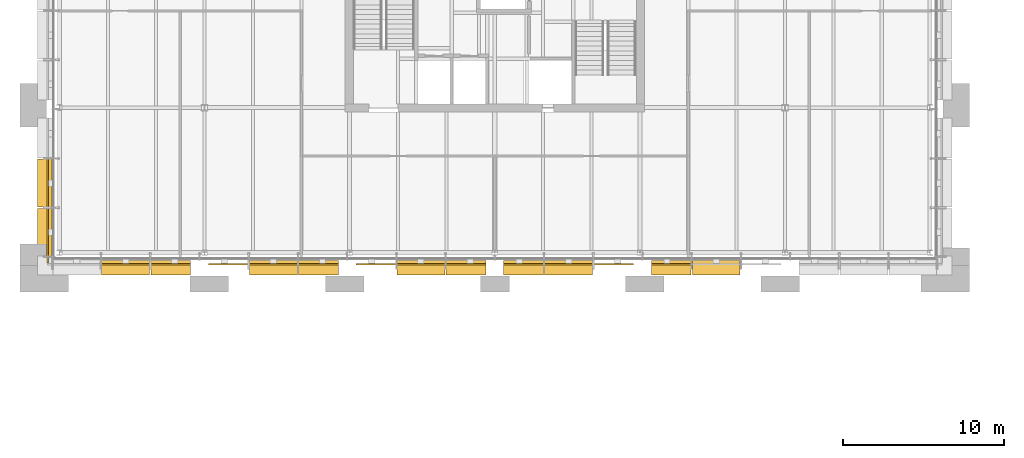
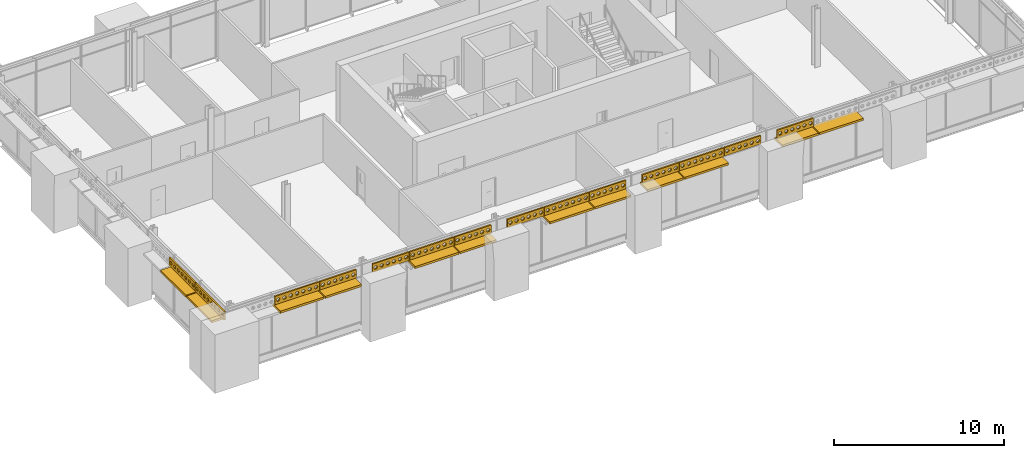
# One storey, part 31 of 37: 26 shading devices.
"""IFC4 building model written with IfcOpenShell, lengths in metres."""

from ifc_helpers import new_model, si_unit, direction, frame, origin, origin_2d, place, context, subcontext, project, spatial, polyline, rectangle, outline, extrude, material, layer, layer_set, type_object, element, save


model = new_model("IFC4")

# Units and contexts
model_context = context("Model", 3, precision=1e-05, world=origin(), true_north=direction((0.0, 1.0)))
body_context = subcontext(model_context, "Body", "Model", "MODEL_VIEW")
ifc_project = project(units=[si_unit("LENGTHUNIT", "METRE"), si_unit("AREAUNIT", "SQUARE_METRE"), si_unit("VOLUMEUNIT", "CUBIC_METRE"), si_unit("PLANEANGLEUNIT", "RADIAN"), si_unit("MASSUNIT", "GRAM", prefix="KILO")], contexts=[model_context])

# Site, building, storey
site_placement = place(None, origin())
site = spatial("IfcSite", under=ifc_project, at=site_placement, CompositionType="ELEMENT")
building_placement = place(site_placement, origin())
building = spatial("IfcBuilding", under=site, at=building_placement, Name="Baradari Gate Terminus", CompositionType="ELEMENT")
storey_placement = place(building_placement, frame((0.0, 0.0, 24.300048828125)))
storey = spatial("IfcBuildingStorey", under=building, at=storey_placement, Name="L05", CompositionType="ELEMENT", Elevation=24.300048828125)

# Shading devices
ifc_material_1 = material(Name="Concrete C40/50 precast", Category="concrete")
ifc_layer_1 = layer(ifc_material_1, 0.14990234375)
ifc_layer_set_1 = layer_set([ifc_layer_1], Name="Concrete C40/50 precast")
shading_device_type_1 = type_object("IfcShadingDeviceType", Name="Chhajja band CJ-1 900x150", PredefinedType="AWNING", material=ifc_layer_set_1)
shading_device_1_placement = place(storey_placement, frame((13.1083984375, 116.080078125, 3.33251953125), z_axis=(0.0, 0.0, 1.0), x_axis=(1.0, 0.0, 0.0)))
element("IfcShadingDevice", 1, at=shading_device_1_placement, inside=storey, type_object=shading_device_type_1, Name="Chhajja band CJ-1 L05/TS bay 2", PredefinedType="AWNING", context=body_context, shape_type="SweptSolid", body=[
    extrude(rectangle(XDim=2.97216796875, YDim=0.89990234375, at=origin_2d()), origin(), (0.0, 0.0, 1.0), 0.14990234375),
])
shading_device_2_placement = place(storey_placement, frame((15.905517578125, 116.080078125, 3.33251953125), z_axis=(0.0, 0.0, 1.0), x_axis=(1.0, 0.0, 0.0)))
element("IfcShadingDevice", 2, at=shading_device_2_placement, inside=storey, type_object=shading_device_type_1, Name="Chhajja band CJ-1 L05/TS bay 3", PredefinedType="AWNING", context=body_context, shape_type="SweptSolid", body=[
    extrude(rectangle(XDim=2.462158203125, YDim=0.89990234375, at=origin_2d()), origin(), (0.0, 0.0, 1.0), 0.14990234375),
])
shading_device_3_placement = place(storey_placement, frame((22.264892578125, 116.080078125, 3.33251953125), z_axis=(0.0, 0.0, 1.0), x_axis=(1.0, 0.0, 0.0)))
element("IfcShadingDevice", 3, at=shading_device_3_placement, inside=storey, type_object=shading_device_type_1, Name="Chhajja band CJ-1 L05/TS bay 5", PredefinedType="AWNING", context=body_context, shape_type="SweptSolid", body=[
    extrude(rectangle(XDim=2.97216796875, YDim=0.89990234375, at=origin_2d()), origin(), (0.0, 0.0, 1.0), 0.14990234375),
])
shading_device_4_placement = place(storey_placement, frame((25.062255859375, 116.080078125, 3.33251953125), z_axis=(0.0, 0.0, 1.0), x_axis=(1.0, 0.0, 0.0)))
element("IfcShadingDevice", 4, at=shading_device_4_placement, inside=storey, type_object=shading_device_type_1, Name="Chhajja band CJ-1 L05/TS bay 6", PredefinedType="AWNING", context=body_context, shape_type="SweptSolid", body=[
    extrude(rectangle(XDim=2.462158203125, YDim=0.89990234375, at=origin_2d()), origin(), (0.0, 0.0, 1.0), 0.14990234375),
])
shading_device_5_placement = place(storey_placement, frame((31.421630859375, 116.080078125, 3.33251953125), z_axis=(0.0, 0.0, 1.0), x_axis=(1.0, 0.0, 0.0)))
element("IfcShadingDevice", 5, at=shading_device_5_placement, inside=storey, type_object=shading_device_type_1, Name="Chhajja band CJ-1 L05/TS bay 8", PredefinedType="AWNING", context=body_context, shape_type="SweptSolid", body=[
    extrude(rectangle(XDim=2.97216796875, YDim=0.89990234375, at=origin_2d()), origin(), (0.0, 0.0, 1.0), 0.14990234375),
])
for number, where, z_axis, x_axis, name in (
    (6, (34.218994140625, 116.080078125, 3.33251953125), (0.0, 0.0, 1.0), (1.0, 0.0, 0.0), "Chhajja band CJ-1 L05/TS bay 9"),
    (7, (37.781005859375, 116.080078125, 3.33251953125), (0.0, 0.0, 1.0), (1.0, 0.0, 0.0), "Chhajja band CJ-1 L05/TS bay 10"),
):
    element("IfcShadingDevice", number, at=place(storey_placement, frame(where, z_axis=z_axis, x_axis=x_axis)), inside=storey, type_object=shading_device_type_1, Name=name, PredefinedType="AWNING", context=body_context, shape_type="SweptSolid", body=[
        extrude(rectangle(XDim=2.462158203125, YDim=0.89990234375, at=origin_2d()), origin(), (0.0, 0.0, 1.0), 0.14990234375),
    ])
shading_device_6_placement = place(storey_placement, frame((40.578369140625, 116.080078125, 3.33251953125), z_axis=(0.0, 0.0, 1.0), x_axis=(1.0, 0.0, 0.0)))
element("IfcShadingDevice", 8, at=shading_device_6_placement, inside=storey, type_object=shading_device_type_1, Name="Chhajja band CJ-1 L05/TS bay 11", PredefinedType="AWNING", context=body_context, shape_type="SweptSolid", body=[
    extrude(rectangle(XDim=2.97216796875, YDim=0.89990234375, at=origin_2d()), origin(), (0.0, 0.0, 1.0), 0.14990234375),
])
shading_device_7_placement = place(storey_placement, frame((46.937744140625, 116.080078125, 3.33251953125), z_axis=(0.0, 0.0, 1.0), x_axis=(1.0, 0.0, 0.0)))
element("IfcShadingDevice", 9, at=shading_device_7_placement, inside=storey, type_object=shading_device_type_1, Name="Chhajja band CJ-1 L05/TS bay 13", PredefinedType="AWNING", context=body_context, shape_type="SweptSolid", body=[
    extrude(rectangle(XDim=2.462158203125, YDim=0.89990234375, at=origin_2d()), origin(), (0.0, 0.0, 1.0), 0.14990234375),
])
shading_device_8_placement = place(storey_placement, frame((49.735107421875, 116.080078125, 3.33251953125), z_axis=(0.0, 0.0, 1.0), x_axis=(1.0, 0.0, 0.0)))
element("IfcShadingDevice", 10, at=shading_device_8_placement, inside=storey, type_object=shading_device_type_1, Name="Chhajja band CJ-1 L05/TS bay 14", PredefinedType="AWNING", context=body_context, shape_type="SweptSolid", body=[
    extrude(rectangle(XDim=2.97216796875, YDim=0.89990234375, at=origin_2d()), origin(), (0.0, 0.0, 1.0), 0.14990234375),
])
shading_device_9_placement = place(storey_placement, frame((8.080078125, 118.2763671875, 3.33251953125), z_axis=(0.0, 0.0, 1.0), x_axis=(0.0, 1.0, 0.0)))
element("IfcShadingDevice", 11, at=shading_device_9_placement, inside=storey, type_object=shading_device_type_1, Name="Chhajja band CJ-1 L05/TW bay 1", PredefinedType="AWNING", context=body_context, shape_type="SweptSolid", body=[
    extrude(rectangle(XDim=2.947509765625, YDim=0.89990234375, at=origin_2d()), origin(), (0.0, 0.0, 1.0), 0.14990234375),
])
shading_device_10_placement = place(storey_placement, frame((8.080078125, 121.320068359375, 3.33251953125), z_axis=(0.0, 0.0, 1.0), x_axis=(0.0, 1.0, 0.0)))
element("IfcShadingDevice", 12, at=shading_device_10_placement, inside=storey, type_object=shading_device_type_1, Name="Chhajja band CJ-1 L05/TW bay 2", PredefinedType="AWNING", context=body_context, shape_type="SweptSolid", body=[
    extrude(rectangle(XDim=2.97998046875, YDim=0.89990234375, at=origin_2d()), origin(), (0.0, 0.0, 1.0), 0.14990234375),
])
ifc_material_2 = material(Name="Concrete C50/60 precast", Category="concrete")
ifc_layer_2 = layer(ifc_material_2, 0.10009765625)
ifc_layer_set_2 = layer_set([ifc_layer_2], Name="Concrete C50/60 precast")
shading_device_type_2 = type_object("IfcShadingDeviceType", Name="Jali screen panel JS-1 100", PredefinedType="SHUTTER", material=ifc_layer_set_2)
shading_device_11_placement = place(storey_placement, frame((11.602294921875, 116.280029296875, 3.583740234375), z_axis=(0.0, 0.0, 1.0), x_axis=(1.0, 0.0, 0.0)))
element("IfcShadingDevice", 13, at=shading_device_11_placement, inside=storey, type_object=shading_device_type_2, Name="Jali screen panel JS-1 L05/TS bay 2", PredefinedType="SHUTTER", context=body_context, shape_type="SweptSolid", body=[
    extrude(outline(polyline([(0.0, 0.0), (3.01220703125, 0.0), (3.01220703125, 0.599853515625), (0.0, 0.599853515625), (0.0, 0.0)]), holes=[polyline([(0.34521484375, 0.300048828125), (0.2802734375, 0.187255859375), (0.150146484375, 0.187255859375), (0.085205078125, 0.300048828125), (0.150146484375, 0.41259765625), (0.2802734375, 0.41259765625), (0.34521484375, 0.300048828125)]), polyline([(0.775390625, 0.300048828125), (0.71044921875, 0.187255859375), (0.58056640625, 0.187255859375), (0.515380859375, 0.300048828125), (0.58056640625, 0.41259765625), (0.71044921875, 0.41259765625), (0.775390625, 0.300048828125)]), polyline([(1.205810546875, 0.300048828125), (1.140869140625, 0.187255859375), (1.0107421875, 0.187255859375), (0.94580078125, 0.300048828125), (1.0107421875, 0.41259765625), (1.140869140625, 0.41259765625), (1.205810546875, 0.300048828125)]), polyline([(1.63623046875, 0.300048828125), (1.571044921875, 0.187255859375), (1.441162109375, 0.187255859375), (1.376220703125, 0.300048828125), (1.441162109375, 0.41259765625), (1.571044921875, 0.41259765625), (1.63623046875, 0.300048828125)]), polyline([(2.06640625, 0.300048828125), (2.00146484375, 0.187255859375), (1.871337890625, 0.187255859375), (1.806396484375, 0.300048828125), (1.871337890625, 0.41259765625), (2.00146484375, 0.41259765625), (2.06640625, 0.300048828125)]), polyline([(2.496826171875, 0.300048828125), (2.431640625, 0.187255859375), (2.3017578125, 0.187255859375), (2.23681640625, 0.300048828125), (2.3017578125, 0.41259765625), (2.431640625, 0.41259765625), (2.496826171875, 0.300048828125)]), polyline([(2.927001953125, 0.300048828125), (2.862060546875, 0.187255859375), (2.732177734375, 0.187255859375), (2.6669921875, 0.300048828125), (2.732177734375, 0.41259765625), (2.862060546875, 0.41259765625), (2.927001953125, 0.300048828125)])]), frame((0.0, 0.050048828125, 0.0), z_axis=(0.0, -1.0, 0.0), x_axis=(1.0, 0.0, 0.0)), (0.0, 0.0, 1.0), 0.10009765625),
])
shading_device_12_placement = place(storey_placement, frame((14.654541015625, 116.280029296875, 3.583740234375), z_axis=(0.0, 0.0, 1.0), x_axis=(1.0, 0.0, 0.0)))
element("IfcShadingDevice", 14, at=shading_device_12_placement, inside=storey, type_object=shading_device_type_2, Name="Jali screen panel JS-1 L05/TS bay 3", PredefinedType="SHUTTER", context=body_context, shape_type="SweptSolid", body=[
    extrude(outline(polyline([(0.0, 0.0), (2.482177734375, 0.0), (2.482177734375, 0.599853515625), (0.0, 0.599853515625), (0.0, 0.0)]), holes=[polyline([(0.3369140625, 0.300048828125), (0.27197265625, 0.187255859375), (0.141845703125, 0.187255859375), (0.076904296875, 0.300048828125), (0.141845703125, 0.41259765625), (0.27197265625, 0.41259765625), (0.3369140625, 0.300048828125)]), polyline([(0.75048828125, 0.300048828125), (0.685546875, 0.187255859375), (0.5556640625, 0.187255859375), (0.490478515625, 0.300048828125), (0.5556640625, 0.41259765625), (0.685546875, 0.41259765625), (0.75048828125, 0.300048828125)]), polyline([(1.164306640625, 0.300048828125), (1.099365234375, 0.187255859375), (0.96923828125, 0.187255859375), (0.904296875, 0.300048828125), (0.96923828125, 0.41259765625), (1.099365234375, 0.41259765625), (1.164306640625, 0.300048828125)]), polyline([(1.577880859375, 0.300048828125), (1.512939453125, 0.187255859375), (1.383056640625, 0.187255859375), (1.31787109375, 0.300048828125), (1.383056640625, 0.41259765625), (1.512939453125, 0.41259765625), (1.577880859375, 0.300048828125)]), polyline([(1.99169921875, 0.300048828125), (1.9267578125, 0.187255859375), (1.796630859375, 0.187255859375), (1.731689453125, 0.300048828125), (1.796630859375, 0.41259765625), (1.9267578125, 0.41259765625), (1.99169921875, 0.300048828125)]), polyline([(2.4052734375, 0.300048828125), (2.34033203125, 0.187255859375), (2.21044921875, 0.187255859375), (2.145263671875, 0.300048828125), (2.21044921875, 0.41259765625), (2.34033203125, 0.41259765625), (2.4052734375, 0.300048828125)])]), frame((0.0, 0.050048828125, 0.0), z_axis=(0.0, -1.0, 0.0), x_axis=(1.0, 0.0, 0.0)), (0.0, 0.0, 1.0), 0.10009765625),
])
shading_device_13_placement = place(storey_placement, frame((18.236572265625, 116.280029296875, 3.583740234375), z_axis=(0.0, 0.0, 1.0), x_axis=(1.0, 0.0, 0.0)))
element("IfcShadingDevice", 15, at=shading_device_13_placement, inside=storey, type_object=shading_device_type_2, Name="Jali screen panel JS-1 L05/TS bay 4", PredefinedType="SHUTTER", context=body_context, shape_type="SweptSolid", body=[
    extrude(outline(polyline([(0.0, 0.0), (2.482421875, 0.0), (2.482421875, 0.599853515625), (0.0, 0.599853515625), (0.0, 0.0)]), holes=[polyline([(0.3369140625, 0.300048828125), (0.27197265625, 0.187255859375), (0.141845703125, 0.187255859375), (0.076904296875, 0.300048828125), (0.141845703125, 0.41259765625), (0.27197265625, 0.41259765625), (0.3369140625, 0.300048828125)]), polyline([(0.75048828125, 0.300048828125), (0.685546875, 0.187255859375), (0.5556640625, 0.187255859375), (0.490478515625, 0.300048828125), (0.5556640625, 0.41259765625), (0.685546875, 0.41259765625), (0.75048828125, 0.300048828125)]), polyline([(1.164306640625, 0.300048828125), (1.099365234375, 0.187255859375), (0.96923828125, 0.187255859375), (0.904296875, 0.300048828125), (0.96923828125, 0.41259765625), (1.099365234375, 0.41259765625), (1.164306640625, 0.300048828125)]), polyline([(1.577880859375, 0.300048828125), (1.512939453125, 0.187255859375), (1.383056640625, 0.187255859375), (1.31787109375, 0.300048828125), (1.383056640625, 0.41259765625), (1.512939453125, 0.41259765625), (1.577880859375, 0.300048828125)]), polyline([(1.99169921875, 0.300048828125), (1.9267578125, 0.187255859375), (1.796630859375, 0.187255859375), (1.731689453125, 0.300048828125), (1.796630859375, 0.41259765625), (1.9267578125, 0.41259765625), (1.99169921875, 0.300048828125)]), polyline([(2.4052734375, 0.300048828125), (2.34033203125, 0.187255859375), (2.21044921875, 0.187255859375), (2.145263671875, 0.300048828125), (2.21044921875, 0.41259765625), (2.34033203125, 0.41259765625), (2.4052734375, 0.300048828125)])]), frame((0.0, 0.050048828125, 0.0), z_axis=(0.0, -1.0, 0.0), x_axis=(1.0, 0.0, 0.0)), (0.0, 0.0, 1.0), 0.10009765625),
])
shading_device_14_placement = place(storey_placement, frame((20.7587890625, 116.280029296875, 3.583740234375), z_axis=(0.0, 0.0, 1.0), x_axis=(1.0, 0.0, 0.0)))
element("IfcShadingDevice", 16, at=shading_device_14_placement, inside=storey, type_object=shading_device_type_2, Name="Jali screen panel JS-1 L05/TS bay 5", PredefinedType="SHUTTER", context=body_context, shape_type="SweptSolid", body=[
    extrude(outline(polyline([(0.0, 0.0), (3.01220703125, 0.0), (3.01220703125, 0.599853515625), (0.0, 0.599853515625), (0.0, 0.0)]), holes=[polyline([(0.34521484375, 0.300048828125), (0.2802734375, 0.187255859375), (0.150146484375, 0.187255859375), (0.085205078125, 0.300048828125), (0.150146484375, 0.41259765625), (0.2802734375, 0.41259765625), (0.34521484375, 0.300048828125)]), polyline([(0.775390625, 0.300048828125), (0.71044921875, 0.187255859375), (0.58056640625, 0.187255859375), (0.515380859375, 0.300048828125), (0.58056640625, 0.41259765625), (0.71044921875, 0.41259765625), (0.775390625, 0.300048828125)]), polyline([(1.205810546875, 0.300048828125), (1.140869140625, 0.187255859375), (1.0107421875, 0.187255859375), (0.94580078125, 0.300048828125), (1.0107421875, 0.41259765625), (1.140869140625, 0.41259765625), (1.205810546875, 0.300048828125)]), polyline([(1.63623046875, 0.300048828125), (1.571044921875, 0.187255859375), (1.441162109375, 0.187255859375), (1.376220703125, 0.300048828125), (1.441162109375, 0.41259765625), (1.571044921875, 0.41259765625), (1.63623046875, 0.300048828125)]), polyline([(2.06640625, 0.300048828125), (2.00146484375, 0.187255859375), (1.871337890625, 0.187255859375), (1.806396484375, 0.300048828125), (1.871337890625, 0.41259765625), (2.00146484375, 0.41259765625), (2.06640625, 0.300048828125)]), polyline([(2.496826171875, 0.300048828125), (2.431640625, 0.187255859375), (2.3017578125, 0.187255859375), (2.23681640625, 0.300048828125), (2.3017578125, 0.41259765625), (2.431640625, 0.41259765625), (2.496826171875, 0.300048828125)]), polyline([(2.927001953125, 0.300048828125), (2.862060546875, 0.187255859375), (2.732177734375, 0.187255859375), (2.6669921875, 0.300048828125), (2.732177734375, 0.41259765625), (2.862060546875, 0.41259765625), (2.927001953125, 0.300048828125)])]), frame((0.0, 0.050048828125, 0.0), z_axis=(0.0, -1.0, 0.0), x_axis=(1.0, 0.0, 0.0)), (0.0, 0.0, 1.0), 0.10009765625),
])
for number, where, z_axis, x_axis, name in (
    (17, (23.81103515625, 116.280029296875, 3.583740234375), (0.0, 0.0, 1.0), (1.0, 0.0, 0.0), "Jali screen panel JS-1 L05/TS bay 6"),
    (18, (27.393310546875, 116.280029296875, 3.583740234375), (0.0, 0.0, 1.0), (1.0, 0.0, 0.0), "Jali screen panel JS-1 L05/TS bay 7"),
):
    element("IfcShadingDevice", number, at=place(storey_placement, frame(where, z_axis=z_axis, x_axis=x_axis)), inside=storey, type_object=shading_device_type_2, Name=name, PredefinedType="SHUTTER", context=body_context, shape_type="SweptSolid", body=[
        extrude(outline(polyline([(0.0, 0.0), (2.482177734375, 0.0), (2.482177734375, 0.599853515625), (0.0, 0.599853515625), (0.0, 0.0)]), holes=[polyline([(0.3369140625, 0.300048828125), (0.27197265625, 0.187255859375), (0.141845703125, 0.187255859375), (0.076904296875, 0.300048828125), (0.141845703125, 0.41259765625), (0.27197265625, 0.41259765625), (0.3369140625, 0.300048828125)]), polyline([(0.75048828125, 0.300048828125), (0.685546875, 0.187255859375), (0.5556640625, 0.187255859375), (0.490478515625, 0.300048828125), (0.5556640625, 0.41259765625), (0.685546875, 0.41259765625), (0.75048828125, 0.300048828125)]), polyline([(1.164306640625, 0.300048828125), (1.099365234375, 0.187255859375), (0.96923828125, 0.187255859375), (0.904296875, 0.300048828125), (0.96923828125, 0.41259765625), (1.099365234375, 0.41259765625), (1.164306640625, 0.300048828125)]), polyline([(1.577880859375, 0.300048828125), (1.512939453125, 0.187255859375), (1.383056640625, 0.187255859375), (1.31787109375, 0.300048828125), (1.383056640625, 0.41259765625), (1.512939453125, 0.41259765625), (1.577880859375, 0.300048828125)]), polyline([(1.99169921875, 0.300048828125), (1.9267578125, 0.187255859375), (1.796630859375, 0.187255859375), (1.731689453125, 0.300048828125), (1.796630859375, 0.41259765625), (1.9267578125, 0.41259765625), (1.99169921875, 0.300048828125)]), polyline([(2.4052734375, 0.300048828125), (2.34033203125, 0.187255859375), (2.21044921875, 0.187255859375), (2.145263671875, 0.300048828125), (2.21044921875, 0.41259765625), (2.34033203125, 0.41259765625), (2.4052734375, 0.300048828125)])]), frame((0.0, 0.050048828125, 0.0), z_axis=(0.0, -1.0, 0.0), x_axis=(1.0, 0.0, 0.0)), (0.0, 0.0, 1.0), 0.10009765625),
    ])
shading_device_15_placement = place(storey_placement, frame((29.91552734375, 116.280029296875, 3.583740234375), z_axis=(0.0, 0.0, 1.0), x_axis=(1.0, 0.0, 0.0)))
element("IfcShadingDevice", 19, at=shading_device_15_placement, inside=storey, type_object=shading_device_type_2, Name="Jali screen panel JS-1 L05/TS bay 8", PredefinedType="SHUTTER", context=body_context, shape_type="SweptSolid", body=[
    extrude(outline(polyline([(0.0, 0.0), (3.01220703125, 0.0), (3.01220703125, 0.599853515625), (0.0, 0.599853515625), (0.0, 0.0)]), holes=[polyline([(0.34521484375, 0.300048828125), (0.2802734375, 0.187255859375), (0.150146484375, 0.187255859375), (0.085205078125, 0.300048828125), (0.150146484375, 0.41259765625), (0.2802734375, 0.41259765625), (0.34521484375, 0.300048828125)]), polyline([(0.775390625, 0.300048828125), (0.71044921875, 0.187255859375), (0.58056640625, 0.187255859375), (0.515380859375, 0.300048828125), (0.58056640625, 0.41259765625), (0.71044921875, 0.41259765625), (0.775390625, 0.300048828125)]), polyline([(1.205810546875, 0.300048828125), (1.140869140625, 0.187255859375), (1.0107421875, 0.187255859375), (0.94580078125, 0.300048828125), (1.0107421875, 0.41259765625), (1.140869140625, 0.41259765625), (1.205810546875, 0.300048828125)]), polyline([(1.63623046875, 0.300048828125), (1.571044921875, 0.187255859375), (1.441162109375, 0.187255859375), (1.376220703125, 0.300048828125), (1.441162109375, 0.41259765625), (1.571044921875, 0.41259765625), (1.63623046875, 0.300048828125)]), polyline([(2.06640625, 0.300048828125), (2.00146484375, 0.187255859375), (1.871337890625, 0.187255859375), (1.806396484375, 0.300048828125), (1.871337890625, 0.41259765625), (2.00146484375, 0.41259765625), (2.06640625, 0.300048828125)]), polyline([(2.496826171875, 0.300048828125), (2.431640625, 0.187255859375), (2.3017578125, 0.187255859375), (2.23681640625, 0.300048828125), (2.3017578125, 0.41259765625), (2.431640625, 0.41259765625), (2.496826171875, 0.300048828125)]), polyline([(2.927001953125, 0.300048828125), (2.862060546875, 0.187255859375), (2.732177734375, 0.187255859375), (2.6669921875, 0.300048828125), (2.732177734375, 0.41259765625), (2.862060546875, 0.41259765625), (2.927001953125, 0.300048828125)])]), frame((0.0, 0.050048828125, 0.0), z_axis=(0.0, -1.0, 0.0), x_axis=(1.0, 0.0, 0.0)), (0.0, 0.0, 1.0), 0.10009765625),
])
for number, where, z_axis, x_axis, name in (
    (20, (32.9677734375, 116.280029296875, 3.583740234375), (0.0, 0.0, 1.0), (1.0, 0.0, 0.0), "Jali screen panel JS-1 L05/TS bay 9"),
    (21, (36.550048828125, 116.280029296875, 3.583740234375), (0.0, 0.0, 1.0), (1.0, 0.0, 0.0), "Jali screen panel JS-1 L05/TS bay 10"),
):
    element("IfcShadingDevice", number, at=place(storey_placement, frame(where, z_axis=z_axis, x_axis=x_axis)), inside=storey, type_object=shading_device_type_2, Name=name, PredefinedType="SHUTTER", context=body_context, shape_type="SweptSolid", body=[
        extrude(outline(polyline([(0.0, 0.0), (2.482177734375, 0.0), (2.482177734375, 0.599853515625), (0.0, 0.599853515625), (0.0, 0.0)]), holes=[polyline([(0.3369140625, 0.300048828125), (0.27197265625, 0.187255859375), (0.141845703125, 0.187255859375), (0.076904296875, 0.300048828125), (0.141845703125, 0.41259765625), (0.27197265625, 0.41259765625), (0.3369140625, 0.300048828125)]), polyline([(0.75048828125, 0.300048828125), (0.685546875, 0.187255859375), (0.5556640625, 0.187255859375), (0.490478515625, 0.300048828125), (0.5556640625, 0.41259765625), (0.685546875, 0.41259765625), (0.75048828125, 0.300048828125)]), polyline([(1.164306640625, 0.300048828125), (1.099365234375, 0.187255859375), (0.96923828125, 0.187255859375), (0.904296875, 0.300048828125), (0.96923828125, 0.41259765625), (1.099365234375, 0.41259765625), (1.164306640625, 0.300048828125)]), polyline([(1.577880859375, 0.300048828125), (1.512939453125, 0.187255859375), (1.383056640625, 0.187255859375), (1.31787109375, 0.300048828125), (1.383056640625, 0.41259765625), (1.512939453125, 0.41259765625), (1.577880859375, 0.300048828125)]), polyline([(1.99169921875, 0.300048828125), (1.9267578125, 0.187255859375), (1.796630859375, 0.187255859375), (1.731689453125, 0.300048828125), (1.796630859375, 0.41259765625), (1.9267578125, 0.41259765625), (1.99169921875, 0.300048828125)]), polyline([(2.4052734375, 0.300048828125), (2.34033203125, 0.187255859375), (2.21044921875, 0.187255859375), (2.145263671875, 0.300048828125), (2.21044921875, 0.41259765625), (2.34033203125, 0.41259765625), (2.4052734375, 0.300048828125)])]), frame((0.0, 0.050048828125, 0.0), z_axis=(0.0, -1.0, 0.0), x_axis=(1.0, 0.0, 0.0)), (0.0, 0.0, 1.0), 0.10009765625),
    ])
shading_device_16_placement = place(storey_placement, frame((39.072265625, 116.280029296875, 3.583740234375), z_axis=(0.0, 0.0, 1.0), x_axis=(1.0, 0.0, 0.0)))
element("IfcShadingDevice", 22, at=shading_device_16_placement, inside=storey, type_object=shading_device_type_2, Name="Jali screen panel JS-1 L05/TS bay 11", PredefinedType="SHUTTER", context=body_context, shape_type="SweptSolid", body=[
    extrude(outline(polyline([(0.0, 0.0), (3.01220703125, 0.0), (3.01220703125, 0.599853515625), (0.0, 0.599853515625), (0.0, 0.0)]), holes=[polyline([(0.34521484375, 0.300048828125), (0.2802734375, 0.187255859375), (0.150146484375, 0.187255859375), (0.085205078125, 0.300048828125), (0.150146484375, 0.41259765625), (0.2802734375, 0.41259765625), (0.34521484375, 0.300048828125)]), polyline([(0.775390625, 0.300048828125), (0.71044921875, 0.187255859375), (0.58056640625, 0.187255859375), (0.515380859375, 0.300048828125), (0.58056640625, 0.41259765625), (0.71044921875, 0.41259765625), (0.775390625, 0.300048828125)]), polyline([(1.205810546875, 0.300048828125), (1.140869140625, 0.187255859375), (1.0107421875, 0.187255859375), (0.94580078125, 0.300048828125), (1.0107421875, 0.41259765625), (1.140869140625, 0.41259765625), (1.205810546875, 0.300048828125)]), polyline([(1.63623046875, 0.300048828125), (1.571044921875, 0.187255859375), (1.441162109375, 0.187255859375), (1.376220703125, 0.300048828125), (1.441162109375, 0.41259765625), (1.571044921875, 0.41259765625), (1.63623046875, 0.300048828125)]), polyline([(2.06640625, 0.300048828125), (2.00146484375, 0.187255859375), (1.871337890625, 0.187255859375), (1.806396484375, 0.300048828125), (1.871337890625, 0.41259765625), (2.00146484375, 0.41259765625), (2.06640625, 0.300048828125)]), polyline([(2.496826171875, 0.300048828125), (2.431640625, 0.187255859375), (2.3017578125, 0.187255859375), (2.23681640625, 0.300048828125), (2.3017578125, 0.41259765625), (2.431640625, 0.41259765625), (2.496826171875, 0.300048828125)]), polyline([(2.927001953125, 0.300048828125), (2.862060546875, 0.187255859375), (2.732177734375, 0.187255859375), (2.6669921875, 0.300048828125), (2.732177734375, 0.41259765625), (2.862060546875, 0.41259765625), (2.927001953125, 0.300048828125)])]), frame((0.0, 0.050048828125, 0.0), z_axis=(0.0, -1.0, 0.0), x_axis=(1.0, 0.0, 0.0)), (0.0, 0.0, 1.0), 0.10009765625),
])
for number, where, z_axis, x_axis, name in (
    (23, (42.12451171875, 116.280029296875, 3.583740234375), (0.0, 0.0, 1.0), (1.0, 0.0, 0.0), "Jali screen panel JS-1 L05/TS bay 12"),
    (24, (45.706787109375, 116.280029296875, 3.583740234375), (0.0, 0.0, 1.0), (1.0, 0.0, 0.0), "Jali screen panel JS-1 L05/TS bay 13"),
):
    element("IfcShadingDevice", number, at=place(storey_placement, frame(where, z_axis=z_axis, x_axis=x_axis)), inside=storey, type_object=shading_device_type_2, Name=name, PredefinedType="SHUTTER", context=body_context, shape_type="SweptSolid", body=[
        extrude(outline(polyline([(0.0, 0.0), (2.482177734375, 0.0), (2.482177734375, 0.599853515625), (0.0, 0.599853515625), (0.0, 0.0)]), holes=[polyline([(0.3369140625, 0.300048828125), (0.27197265625, 0.187255859375), (0.141845703125, 0.187255859375), (0.076904296875, 0.300048828125), (0.141845703125, 0.41259765625), (0.27197265625, 0.41259765625), (0.3369140625, 0.300048828125)]), polyline([(0.75048828125, 0.300048828125), (0.685546875, 0.187255859375), (0.5556640625, 0.187255859375), (0.490478515625, 0.300048828125), (0.5556640625, 0.41259765625), (0.685546875, 0.41259765625), (0.75048828125, 0.300048828125)]), polyline([(1.164306640625, 0.300048828125), (1.099365234375, 0.187255859375), (0.96923828125, 0.187255859375), (0.904296875, 0.300048828125), (0.96923828125, 0.41259765625), (1.099365234375, 0.41259765625), (1.164306640625, 0.300048828125)]), polyline([(1.577880859375, 0.300048828125), (1.512939453125, 0.187255859375), (1.383056640625, 0.187255859375), (1.31787109375, 0.300048828125), (1.383056640625, 0.41259765625), (1.512939453125, 0.41259765625), (1.577880859375, 0.300048828125)]), polyline([(1.99169921875, 0.300048828125), (1.9267578125, 0.187255859375), (1.796630859375, 0.187255859375), (1.731689453125, 0.300048828125), (1.796630859375, 0.41259765625), (1.9267578125, 0.41259765625), (1.99169921875, 0.300048828125)]), polyline([(2.4052734375, 0.300048828125), (2.34033203125, 0.187255859375), (2.21044921875, 0.187255859375), (2.145263671875, 0.300048828125), (2.21044921875, 0.41259765625), (2.34033203125, 0.41259765625), (2.4052734375, 0.300048828125)])]), frame((0.0, 0.050048828125, 0.0), z_axis=(0.0, -1.0, 0.0), x_axis=(1.0, 0.0, 0.0)), (0.0, 0.0, 1.0), 0.10009765625),
    ])
shading_device_17_placement = place(storey_placement, frame((8.280029296875, 116.362548828125, 3.583740234375), z_axis=(0.0, 0.0, 1.0), x_axis=(0.0, 1.0, 0.0)))
element("IfcShadingDevice", 25, at=shading_device_17_placement, inside=storey, type_object=shading_device_type_2, Name="Jali screen panel JS-1 L05/TW bay 1", PredefinedType="SHUTTER", context=body_context, shape_type="SweptSolid", body=[
    extrude(outline(polyline([(0.0, 0.0), (3.407470703125, 0.0), (3.407470703125, 0.599853515625), (0.0, 0.599853515625), (0.0, 0.0)]), holes=[polyline([(0.343017578125, 0.300048828125), (0.278076171875, 0.187255859375), (0.14794921875, 0.187255859375), (0.0830078125, 0.300048828125), (0.14794921875, 0.41259765625), (0.278076171875, 0.41259765625), (0.343017578125, 0.300048828125)]), polyline([(0.768798828125, 0.300048828125), (0.703857421875, 0.187255859375), (0.573974609375, 0.187255859375), (0.5087890625, 0.300048828125), (0.573974609375, 0.41259765625), (0.703857421875, 0.41259765625), (0.768798828125, 0.300048828125)]), polyline([(1.19482421875, 0.300048828125), (1.1298828125, 0.187255859375), (0.999755859375, 0.187255859375), (0.934814453125, 0.300048828125), (0.999755859375, 0.41259765625), (1.1298828125, 0.41259765625), (1.19482421875, 0.300048828125)]), polyline([(1.620849609375, 0.300048828125), (1.5556640625, 0.187255859375), (1.42578125, 0.187255859375), (1.36083984375, 0.300048828125), (1.42578125, 0.41259765625), (1.5556640625, 0.41259765625), (1.620849609375, 0.300048828125)]), polyline([(2.046630859375, 0.300048828125), (1.981689453125, 0.187255859375), (1.851806640625, 0.187255859375), (1.78662109375, 0.300048828125), (1.851806640625, 0.41259765625), (1.981689453125, 0.41259765625), (2.046630859375, 0.300048828125)]), polyline([(2.47265625, 0.300048828125), (2.40771484375, 0.187255859375), (2.277587890625, 0.187255859375), (2.212646484375, 0.300048828125), (2.277587890625, 0.41259765625), (2.40771484375, 0.41259765625), (2.47265625, 0.300048828125)]), polyline([(2.898681640625, 0.300048828125), (2.83349609375, 0.187255859375), (2.70361328125, 0.187255859375), (2.638671875, 0.300048828125), (2.70361328125, 0.41259765625), (2.83349609375, 0.41259765625), (2.898681640625, 0.300048828125)]), polyline([(3.324462890625, 0.300048828125), (3.259521484375, 0.187255859375), (3.129638671875, 0.187255859375), (3.064453125, 0.300048828125), (3.129638671875, 0.41259765625), (3.259521484375, 0.41259765625), (3.324462890625, 0.300048828125)])]), frame((0.0, 0.050048828125, 0.0), z_axis=(0.0, -1.0, 0.0), x_axis=(1.0, 0.0, 0.0)), (0.0, 0.0, 1.0), 0.10009765625),
])
shading_device_18_placement = place(storey_placement, frame((8.280029296875, 119.81005859375, 3.583740234375), z_axis=(0.0, 0.0, 1.0), x_axis=(0.0, 1.0, 0.0)))
element("IfcShadingDevice", 26, at=shading_device_18_placement, inside=storey, type_object=shading_device_type_2, Name="Jali screen panel JS-1 L05/TW bay 2", PredefinedType="SHUTTER", context=body_context, shape_type="SweptSolid", body=[
    extrude(outline(polyline([(0.0, 0.0), (3.02001953125, 0.0), (3.02001953125, 0.599853515625), (0.0, 0.599853515625), (0.0, 0.0)]), holes=[polyline([(0.345703125, 0.300048828125), (0.28076171875, 0.187255859375), (0.150634765625, 0.187255859375), (0.085693359375, 0.300048828125), (0.150634765625, 0.41259765625), (0.28076171875, 0.41259765625), (0.345703125, 0.300048828125)]), polyline([(0.777099609375, 0.300048828125), (0.712158203125, 0.187255859375), (0.58203125, 0.187255859375), (0.51708984375, 0.300048828125), (0.58203125, 0.41259765625), (0.712158203125, 0.41259765625), (0.777099609375, 0.300048828125)]), polyline([(1.20849609375, 0.300048828125), (1.1435546875, 0.187255859375), (1.013671875, 0.187255859375), (0.948486328125, 0.300048828125), (1.013671875, 0.41259765625), (1.1435546875, 0.41259765625), (1.20849609375, 0.300048828125)]), polyline([(1.639892578125, 0.300048828125), (1.574951171875, 0.187255859375), (1.445068359375, 0.187255859375), (1.3798828125, 0.300048828125), (1.445068359375, 0.41259765625), (1.574951171875, 0.41259765625), (1.639892578125, 0.300048828125)]), polyline([(2.071533203125, 0.300048828125), (2.00634765625, 0.187255859375), (1.87646484375, 0.187255859375), (1.8115234375, 0.300048828125), (1.87646484375, 0.41259765625), (2.00634765625, 0.41259765625), (2.071533203125, 0.300048828125)]), polyline([(2.5029296875, 0.300048828125), (2.437744140625, 0.187255859375), (2.307861328125, 0.187255859375), (2.242919921875, 0.300048828125), (2.307861328125, 0.41259765625), (2.437744140625, 0.41259765625), (2.5029296875, 0.300048828125)]), polyline([(2.934326171875, 0.300048828125), (2.869384765625, 0.187255859375), (2.7392578125, 0.187255859375), (2.67431640625, 0.300048828125), (2.7392578125, 0.41259765625), (2.869384765625, 0.41259765625), (2.934326171875, 0.300048828125)])]), frame((0.0, 0.050048828125, 0.0), z_axis=(0.0, -1.0, 0.0), x_axis=(1.0, 0.0, 0.0)), (0.0, 0.0, 1.0), 0.10009765625),
])

save(model, "model.ifc")
